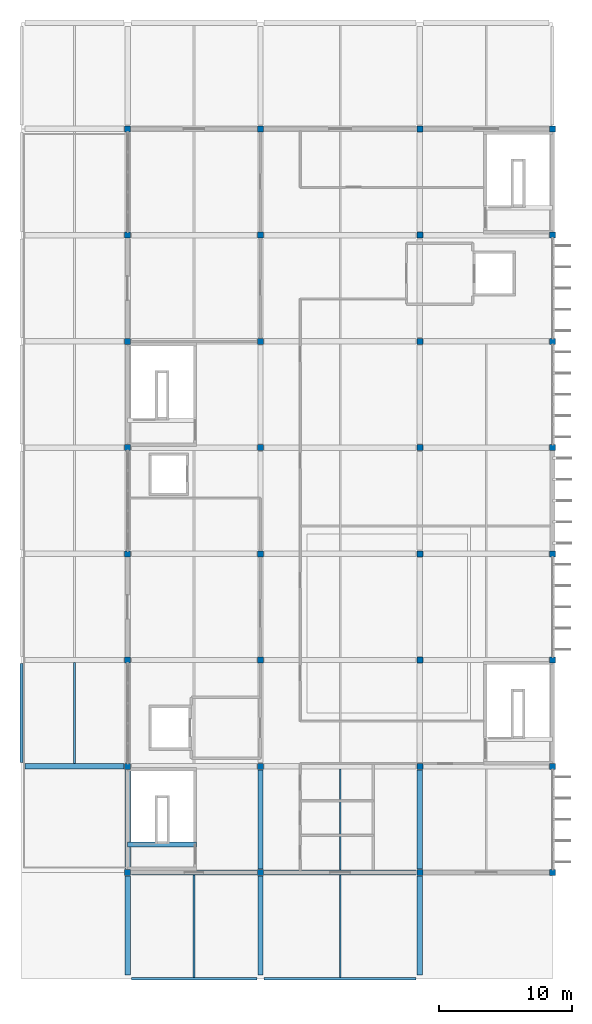
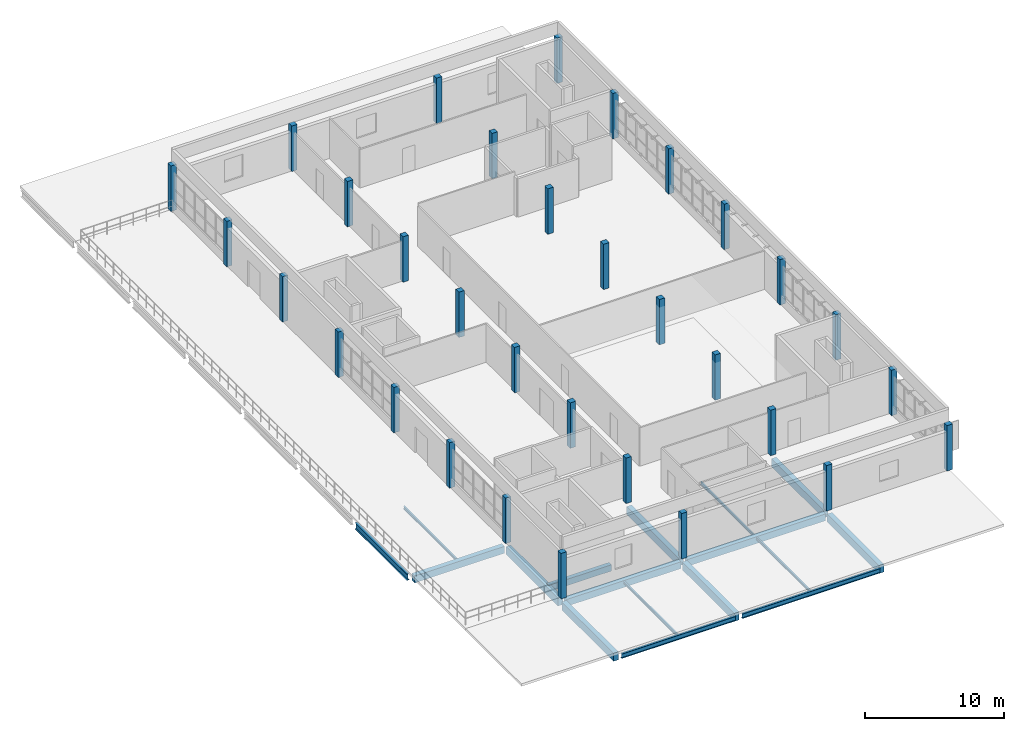
# One storey, part 1 of 12: 32 columns, 17 beams.
"""IFC4 building model written with IfcOpenShell, lengths in metres."""

from ifc_helpers import new_model, si_unit, direction, frame, origin, origin_2d, place, context, subcontext, project, spatial, rectangle, i_section, extrude, material, material_profile, profile_set, type_object, element, save


model = new_model("IFC4")

# Units and contexts
model_context = context("Model", 3, precision=1e-05, world=origin(), true_north=direction((0.0, 1.0)))
body_context = subcontext(model_context, "Body", "Model", "MODEL_VIEW")
ifc_project = project(units=[si_unit("LENGTHUNIT", "METRE"), si_unit("AREAUNIT", "SQUARE_METRE"), si_unit("VOLUMEUNIT", "CUBIC_METRE"), si_unit("PLANEANGLEUNIT", "RADIAN"), si_unit("MASSUNIT", "GRAM", prefix="KILO")], contexts=[model_context])

# Site, building, storey
site_placement = place(None, origin())
site = spatial("IfcSite", under=ifc_project, at=site_placement, CompositionType="ELEMENT")
building_placement = place(site_placement, origin())
building = spatial("IfcBuilding", under=site, at=building_placement, Name="Drelvana Railside Aquatics Centre", CompositionType="ELEMENT")
storey_placement = place(building_placement, frame((0.0, 0.0, 18.60009765625)))
storey = spatial("IfcBuildingStorey", under=building, at=storey_placement, Name="L04", CompositionType="ELEMENT", Elevation=18.60009765625)

# Columns
ifc_material_1 = material(Name="Concrete C40/50", Category="concrete")
ifc_material_profile_1 = material_profile(ifc_material_1, rectangle(XDim=0.449951171875, YDim=0.449951171875, at=origin_2d()), Name="RC 450x450")
ifc_profile_set_1 = profile_set([ifc_material_profile_1], Name="Concrete C40/50")
column_type = type_object("IfcColumnType", Name="STR-COL-RC-450x450", PredefinedType="COLUMN", material=ifc_profile_set_1)
for number, where, z_axis, x_axis, name in (
    (1, (152.0, 24.0, 0.0), (0.0, 0.0, 1.0), (1.0, 0.0, 0.0), "Column C-01 (L04)"),
    (2, (162.0, 24.0, 0.0), (0.0, 0.0, 1.0), (1.0, 0.0, 0.0), "Column C-01 (L04)"),
    (3, (174.0, 24.0, 0.0), (0.0, 0.0, 1.0), (1.0, 0.0, 0.0), "Column C-01 (L04)"),
    (4, (184.0, 24.0, 0.0), (0.0, 0.0, 1.0), (1.0, 0.0, 0.0), "Column C-01 (L04)"),
    (5, (152.0, 32.0, 0.0), (0.0, 0.0, 1.0), (1.0, 0.0, 0.0), "Column C-01 (L04)"),
    (6, (162.0, 32.0, 0.0), (0.0, 0.0, 1.0), (1.0, 0.0, 0.0), "Column C-01 (L04)"),
    (7, (174.0, 32.0, 0.0), (0.0, 0.0, 1.0), (1.0, 0.0, 0.0), "Column C-01 (L04)"),
    (8, (184.0, 32.0, 0.0), (0.0, 0.0, 1.0), (1.0, 0.0, 0.0), "Column C-01 (L04)"),
    (9, (152.0, 40.0, 0.0), (0.0, 0.0, 1.0), (1.0, 0.0, 0.0), "Column C-01 (L04)"),
    (10, (162.0, 40.0, 0.0), (0.0, 0.0, 1.0), (1.0, 0.0, 0.0), "Column C-01 (L04)"),
    (11, (174.0, 40.0, 0.0), (0.0, 0.0, 1.0), (1.0, 0.0, 0.0), "Column C-01 (L04)"),
    (12, (184.0, 40.0, 0.0), (0.0, 0.0, 1.0), (1.0, 0.0, 0.0), "Column C-01 (L04)"),
    (13, (152.0, 48.0, 0.0), (0.0, 0.0, 1.0), (1.0, 0.0, 0.0), "Column C-01 (L04)"),
    (14, (162.0, 48.0, 0.0), (0.0, 0.0, 1.0), (1.0, 0.0, 0.0), "Column C-01 (L04)"),
    (15, (174.0, 48.0, 0.0), (0.0, 0.0, 1.0), (1.0, 0.0, 0.0), "Column C-01 (L04)"),
    (16, (184.0, 48.0, 0.0), (0.0, 0.0, 1.0), (1.0, 0.0, 0.0), "Column C-01 (L04)"),
    (17, (152.0, 56.0, 0.0), (0.0, 0.0, 1.0), (1.0, 0.0, 0.0), "Column C-01 (L04)"),
    (18, (162.0, 56.0, 0.0), (0.0, 0.0, 1.0), (1.0, 0.0, 0.0), "Column C-01 (L04)"),
    (19, (174.0, 56.0, 0.0), (0.0, 0.0, 1.0), (1.0, 0.0, 0.0), "Column C-01 (L04)"),
    (20, (184.0, 56.0, 0.0), (0.0, 0.0, 1.0), (1.0, 0.0, 0.0), "Column C-01 (L04)"),
    (21, (152.0, 64.0, 0.0), (0.0, 0.0, 1.0), (1.0, 0.0, 0.0), "Column C-01 (L04)"),
    (22, (162.0, 64.0, 0.0), (0.0, 0.0, 1.0), (1.0, 0.0, 0.0), "Column C-01 (L04)"),
    (23, (174.0, 64.0, 0.0), (0.0, 0.0, 1.0), (1.0, 0.0, 0.0), "Column C-01 (L04)"),
    (24, (184.0, 64.0, 0.0), (0.0, 0.0, 1.0), (1.0, 0.0, 0.0), "Column C-01 (L04)"),
    (25, (152.0, 72.0, 0.0), (0.0, 0.0, 1.0), (1.0, 0.0, 0.0), "Column C-01 (L04)"),
    (26, (162.0, 72.0, 0.0), (0.0, 0.0, 1.0), (1.0, 0.0, 0.0), "Column C-01 (L04)"),
    (27, (174.0, 72.0, 0.0), (0.0, 0.0, 1.0), (1.0, 0.0, 0.0), "Column C-01 (L04)"),
    (28, (184.0, 72.0, 0.0), (0.0, 0.0, 1.0), (1.0, 0.0, 0.0), "Column C-01 (L04)"),
    (29, (152.0, 80.0, 0.0), (0.0, 0.0, 1.0), (1.0, 0.0, 0.0), "Column C-01 (L04)"),
    (30, (162.0, 80.0, 0.0), (0.0, 0.0, 1.0), (1.0, 0.0, 0.0), "Column C-01 (L04)"),
    (31, (174.0, 80.0, 0.0), (0.0, 0.0, 1.0), (1.0, 0.0, 0.0), "Column C-01 (L04)"),
    (32, (184.0, 80.0, 0.0), (0.0, 0.0, 1.0), (1.0, 0.0, 0.0), "Column C-01 (L04)"),
):
    element("IfcColumn", number, at=place(storey_placement, frame(where, z_axis=z_axis, x_axis=x_axis)), inside=storey, type_object=column_type, Name=name, PredefinedType="COLUMN", context=body_context, shape_type="SweptSolid", body=[
        extrude(rectangle(XDim=0.449951171875, YDim=0.449951171875, at=origin_2d()), origin(), (0.0, 0.0, 1.0), 3.98486328125),
    ])

# Beams
ifc_material_profile_2 = material_profile(ifc_material_1, rectangle(XDim=0.35009765625, YDim=0.550048828125, at=origin_2d()), Name="RC 350x550")
ifc_profile_set_2 = profile_set([ifc_material_profile_2], Name="Concrete C40/50")
beam_type_1 = type_object("IfcBeamType", Name="STR-BM-BM-01-RC-350x550", PredefinedType="BEAM", material=ifc_profile_set_2)
beam_1_placement = place(storey_placement, frame((152.0, 26.110107421875, -0.47509765625), z_axis=(1.0, 0.0, 0.0), x_axis=(0.0, 1.0, 0.0)))
element("IfcBeam", 33, at=beam_1_placement, inside=storey, type_object=beam_type_1, Name="Stair ST-06 L04 landing beam", PredefinedType="BEAM", context=body_context, shape_type="SweptSolid", body=[
    extrude(rectangle(XDim=0.35009765625, YDim=0.550048828125, at=origin_2d()), origin(), (0.0, 0.0, 1.0), 5.199951171875),
])
ifc_material_profile_3 = material_profile(ifc_material_1, rectangle(XDim=0.39990234375, YDim=0.60009765625, at=origin_2d()), Name="RC 400x600")
ifc_profile_set_3 = profile_set([ifc_material_profile_3], Name="Concrete C40/50")
beam_type_2 = type_object("IfcBeamType", Name="STR-BM-BM-02-RC-400x600", PredefinedType="BEAM", material=ifc_profile_set_3)
beam_2_placement = place(storey_placement, frame((152.27490234375, 24.0, -0.525146484375), z_axis=(1.0, 0.0, 0.0), x_axis=(0.0, 1.0, 0.0)))
element("IfcBeam", 34, at=beam_2_placement, inside=storey, type_object=beam_type_2, Name="Girder BM-02 (L04)", PredefinedType="BEAM", context=body_context, shape_type="SweptSolid", body=[
    extrude(rectangle(XDim=0.39990234375, YDim=0.60009765625, at=origin_2d()), origin(), (0.0, 0.0, 1.0), 9.4501953125),
])
beam_3_placement = place(storey_placement, frame((162.27490234375, 24.0, -0.525146484375), z_axis=(1.0, 0.0, 0.0), x_axis=(0.0, 1.0, 0.0)))
element("IfcBeam", 35, at=beam_3_placement, inside=storey, type_object=beam_type_2, Name="Girder BM-02 (L04)", PredefinedType="BEAM", context=body_context, shape_type="SweptSolid", body=[
    extrude(rectangle(XDim=0.39990234375, YDim=0.60009765625, at=origin_2d()), origin(), (0.0, 0.0, 1.0), 11.4501953125),
])
beam_4_placement = place(storey_placement, frame((144.27490234375, 32.0, -0.525146484375), z_axis=(1.0, 0.0, 0.0), x_axis=(0.0, 1.0, 0.0)))
element("IfcBeam", 36, at=beam_4_placement, inside=storey, type_object=beam_type_2, Name="Girder BM-02 (L04)", PredefinedType="BEAM", context=body_context, shape_type="SweptSolid", body=[
    extrude(rectangle(XDim=0.39990234375, YDim=0.60009765625, at=origin_2d()), origin(), (0.0, 0.0, 1.0), 7.4501953125),
])
ifc_material_profile_4 = material_profile(ifc_material_1, rectangle(XDim=0.39990234375, YDim=0.699951171875, at=origin_2d()), Name="RC 400x700")
ifc_profile_set_4 = profile_set([ifc_material_profile_4], Name="Concrete C40/50")
beam_type_3 = type_object("IfcBeamType", Name="STR-BM-BM-03-RC-400x700", PredefinedType="BEAM", material=ifc_profile_set_4)
for number, where, z_axis, x_axis, name in (
    (37, (152.0, 16.27490234375, -0.5751953125), (0.0, 1.0, 0.0), (-1.0, 0.0, 0.0), "Girder BM-03 (L04)"),
    (38, (152.0, 24.27490234375, -0.5751953125), (0.0, 1.0, 0.0), (-1.0, 0.0, 0.0), "Girder BM-03 (L04)"),
    (39, (162.0, 16.27490234375, -0.5751953125), (0.0, 1.0, 0.0), (-1.0, 0.0, 0.0), "Girder BM-03 (L04)"),
    (40, (162.0, 24.27490234375, -0.5751953125), (0.0, 1.0, 0.0), (-1.0, 0.0, 0.0), "Girder BM-03 (L04)"),
    (41, (174.0, 16.27490234375, -0.5751953125), (0.0, 1.0, 0.0), (-1.0, 0.0, 0.0), "Girder BM-03 (L04)"),
    (42, (174.0, 24.27490234375, -0.5751953125), (0.0, 1.0, 0.0), (-1.0, 0.0, 0.0), "Girder BM-03 (L04)"),
):
    element("IfcBeam", number, at=place(storey_placement, frame(where, z_axis=z_axis, x_axis=x_axis)), inside=storey, type_object=beam_type_3, Name=name, PredefinedType="BEAM", context=body_context, shape_type="SweptSolid", body=[
        extrude(rectangle(XDim=0.39990234375, YDim=0.699951171875, at=origin_2d()), origin(), (0.0, 0.0, 1.0), 7.4501953125),
    ])
ifc_material_2 = material(Name="Structural steel S355", Category="steel")
ifc_material_profile_5 = material_profile(ifc_material_2, i_section(OverallWidth=0.179931640625, OverallDepth=0.39990234375, WebThickness=0.008544921875, FlangeThickness=0.013427734375, at=origin_2d()), Name="IPE 400")
ifc_profile_set_5 = profile_set([ifc_material_profile_5], Name="Structural steel S355")
beam_type_4 = type_object("IfcBeamType", Name="STR-SBM-SB-01-IPE-400", PredefinedType="BEAM", material=ifc_profile_set_5)
beam_5_placement = place(storey_placement, frame((152.27490234375, 16.0, -0.425048828125), z_axis=(1.0, 0.0, 0.0), x_axis=(0.0, 1.0, 0.0)))
element("IfcBeam", 43, at=beam_5_placement, inside=storey, type_object=beam_type_4, Name="Girder SB-01 (L04)", PredefinedType="BEAM", context=body_context, shape_type="SweptSolid", body=[
    extrude(i_section(OverallWidth=0.179931640625, OverallDepth=0.39990234375, WebThickness=0.008544921875, FlangeThickness=0.013427734375, at=origin_2d()), origin(), (0.0, 0.0, 1.0), 9.4501953125),
])
beam_6_placement = place(storey_placement, frame((162.27490234375, 16.0, -0.425048828125), z_axis=(1.0, 0.0, 0.0), x_axis=(0.0, 1.0, 0.0)))
element("IfcBeam", 44, at=beam_6_placement, inside=storey, type_object=beam_type_4, Name="Girder SB-01 (L04)", PredefinedType="BEAM", context=body_context, shape_type="SweptSolid", body=[
    extrude(i_section(OverallWidth=0.179931640625, OverallDepth=0.39990234375, WebThickness=0.008544921875, FlangeThickness=0.013427734375, at=origin_2d()), origin(), (0.0, 0.0, 1.0), 11.4501953125),
])
ifc_material_profile_6 = material_profile(ifc_material_2, i_section(OverallWidth=0.2099609375, OverallDepth=0.550048828125, WebThickness=0.010986328125, FlangeThickness=0.01708984375, at=origin_2d()), Name="IPE 550")
ifc_profile_set_6 = profile_set([ifc_material_profile_6], Name="Structural steel S355")
beam_type_5 = type_object("IfcBeamType", Name="STR-SBM-SB-04-IPE-550", PredefinedType="SPANDREL", material=ifc_profile_set_6)
beam_7_placement = place(storey_placement, frame((144.0, 32.27490234375, -0.5), z_axis=(0.0, 1.0, 0.0), x_axis=(-1.0, 0.0, 0.0)))
element("IfcBeam", 45, at=beam_7_placement, inside=storey, type_object=beam_type_5, Name="Girder SB-04 (L04)", PredefinedType="SPANDREL", context=body_context, shape_type="SweptSolid", body=[
    extrude(i_section(OverallWidth=0.2099609375, OverallDepth=0.550048828125, WebThickness=0.010986328125, FlangeThickness=0.01708984375, at=origin_2d()), origin(), (0.0, 0.0, 1.0), 7.4501953125),
])
ifc_material_profile_7 = material_profile(ifc_material_2, i_section(OverallWidth=0.1201171875, OverallDepth=0.239990234375, WebThickness=0.006103515625, FlangeThickness=0.009765625, at=origin_2d()), Name="IPE 240")
ifc_profile_set_7 = profile_set([ifc_material_profile_7], Name="Structural steel S355")
beam_type_6 = type_object("IfcBeamType", Name="STR-SBM-SJ-01-IPE-240", PredefinedType="JOIST", material=ifc_profile_set_7)
beam_8_placement = place(storey_placement, frame((148.0, 32.199951171875, -0.34521484375), z_axis=(0.0, 1.0, 0.0), x_axis=(-1.0, 0.0, 0.0)))
element("IfcBeam", 46, at=beam_8_placement, inside=storey, type_object=beam_type_6, Name="Secondary floor joist SJ-01 (L04)", PredefinedType="JOIST", context=body_context, shape_type="SweptSolid", body=[
    extrude(i_section(OverallWidth=0.1201171875, OverallDepth=0.239990234375, WebThickness=0.006103515625, FlangeThickness=0.009765625, at=origin_2d()), origin(), (0.0, 0.0, 1.0), 7.60009765625),
])
for number, where, z_axis, x_axis, name in (
    (47, (157.0, 16.090087890625, -0.34521484375), (0.0, 1.0, 0.0), (-1.0, 0.0, 0.0), "Secondary floor joist SJ-01 (L04)"),
    (48, (168.0, 16.090087890625, -0.34521484375), (0.0, 1.0, 0.0), (-1.0, 0.0, 0.0), "Secondary floor joist SJ-01 (L04)"),
):
    element("IfcBeam", number, at=place(storey_placement, frame(where, z_axis=z_axis, x_axis=x_axis)), inside=storey, type_object=beam_type_6, Name=name, PredefinedType="JOIST", context=body_context, shape_type="SweptSolid", body=[
        extrude(i_section(OverallWidth=0.1201171875, OverallDepth=0.239990234375, WebThickness=0.006103515625, FlangeThickness=0.009765625, at=origin_2d()), origin(), (0.0, 0.0, 1.0), 7.7099609375),
    ])
beam_9_placement = place(storey_placement, frame((168.0, 24.199951171875, -0.34521484375), z_axis=(0.0, 1.0, 0.0), x_axis=(-1.0, 0.0, 0.0)))
element("IfcBeam", 49, at=beam_9_placement, inside=storey, type_object=beam_type_6, Name="Secondary floor joist SJ-01 (L04)", PredefinedType="JOIST", context=body_context, shape_type="SweptSolid", body=[
    extrude(i_section(OverallWidth=0.1201171875, OverallDepth=0.239990234375, WebThickness=0.006103515625, FlangeThickness=0.009765625, at=origin_2d()), origin(), (0.0, 0.0, 1.0), 7.60009765625),
])

save(model, "model.ifc")
